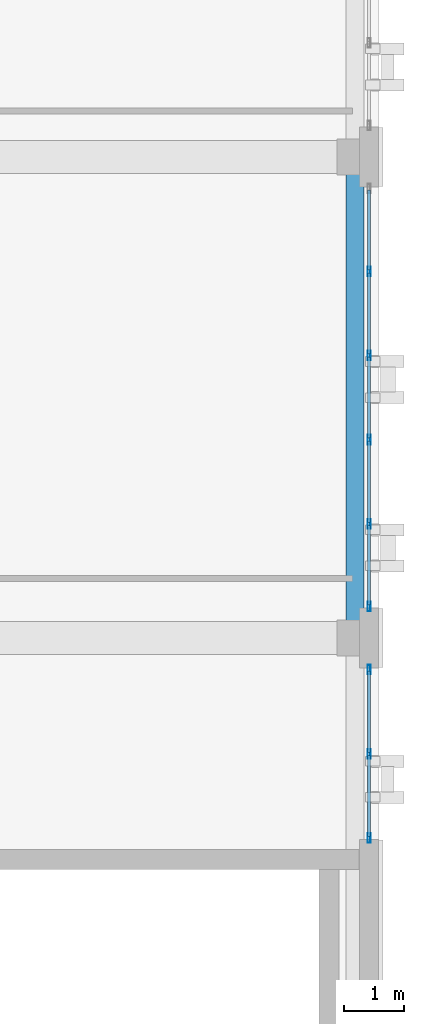
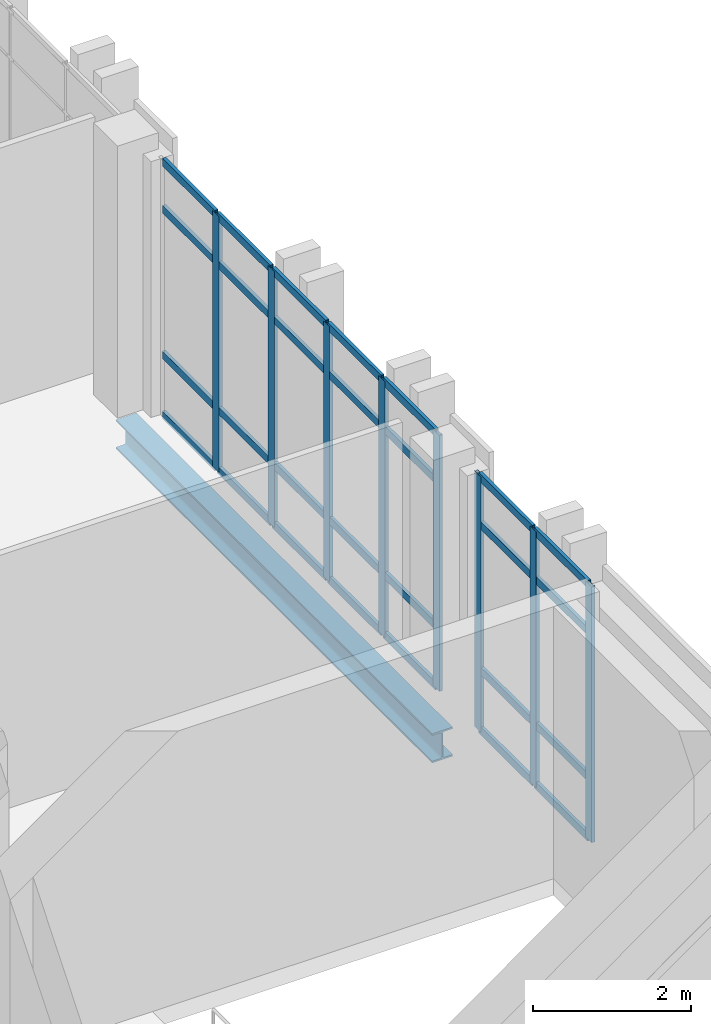
# One storey, part 7 of 19: 36 members, 1 beam, 2 elements without a shape of their own.
"""IFC4 building model written with IfcOpenShell, lengths in metres."""

import ifcopenshell
import ifcopenshell.guid

model = None  # the IFC model being written
_history = None  # IfcOwnerHistory: only IFC2X3 demands one
_inside = {}  # id of a spatial element -> (the spatial element, [elements in it])
_under = {}  # id of a project, library or spatial element -> (it, [spatial elements below it])
_declared = {}  # id of a project -> (the project, [libraries it declares])
_typed = {}  # id of a type object -> (the type object, [elements of that type])
_made_of = {}  # id of a material, layer set ... -> (it, [elements and type objects made of it])


def new_model(schema):
    """Start an empty IFC model of exactly this schema.

    Asked for "IFC4X3", IfcOpenShell would pick the latest addendum, in which some entities
    have other attributes; the version numbers below select the first issue.
    IFC2X3 requires an IfcOwnerHistory on every rooted entity: one is made here for all.
    """
    global model, _history
    if schema == "IFC4X3":
        model = ifcopenshell.file(schema_version=(4, 3, 0, 0))
    else:
        model = ifcopenshell.file(schema=schema)
    _inside.clear()
    _under.clear()
    _declared.clear()
    _typed.clear()
    _made_of.clear()
    _history = None
    if model.schema == "IFC2X3":
        org = make("IfcOrganization", Name="unknown")
        user = make(
            "IfcPersonAndOrganization",
            ThePerson=make("IfcPerson", FamilyName="unknown"),
            TheOrganization=org,
        )
        app = make(
            "IfcApplication",
            ApplicationDeveloper=org,
            Version="unknown",
            ApplicationFullName="unknown",
            ApplicationIdentifier="unknown",
        )
        _history = make(
            "IfcOwnerHistory",
            OwningUser=user,
            OwningApplication=app,
            ChangeAction="ADDED",
            CreationDate=0,
        )
    return model


def make(cls, **values):
    """One entity of the class cls with the attributes given. An attribute that is None is left unset."""
    return model.create_entity(
        cls, **{name: value for name, value in values.items() if value is not None}
    )


def rooted(cls, **values):
    """An entity with a GlobalId (a new one), such as an element, a storey or a relation."""
    return make(cls, GlobalId=ifcopenshell.guid.new(), OwnerHistory=_history, **values)


def si_unit(unit_type, name, prefix=None):
    """IfcSIUnit, for example si_unit("LENGTHUNIT", "METRE", prefix="MILLI")."""
    return make("IfcSIUnit", UnitType=unit_type, Prefix=prefix, Name=name)


def assignment(units):
    """IfcUnitAssignment: the units of a project."""
    return None if units is None else make("IfcUnitAssignment", Units=units)


def point(xyz):
    """IfcCartesianPoint."""
    return None if xyz is None else make("IfcCartesianPoint", Coordinates=xyz)


def direction(xyz):
    """IfcDirection."""
    return None if xyz is None else make("IfcDirection", DirectionRatios=xyz)


def frame(location, z_axis=None, x_axis=None):
    """IfcAxis2Placement3D, a coordinate frame: its origin and axes. An axis left out is left unset."""
    return make(
        "IfcAxis2Placement3D",
        Location=point(location),
        Axis=direction(z_axis),
        RefDirection=direction(x_axis),
    )


def frame_2d(location, x_axis=None):
    """IfcAxis2Placement2D, a coordinate frame in the plane: its origin and x axis."""
    return make(
        "IfcAxis2Placement2D", Location=point(location), RefDirection=direction(x_axis)
    )


def origin():
    """The frame at (0, 0, 0) with its axes left unset."""
    return frame((0.0, 0.0, 0.0))


def origin_2d():
    """The frame at (0, 0) in the plane with its x axis left unset."""
    return frame_2d((0.0, 0.0))


def place(relative_to, where):
    """IfcLocalPlacement: puts the frame where relative to a parent placement (None: the world)."""
    return make(
        "IfcLocalPlacement", PlacementRelTo=relative_to, RelativePlacement=where
    )


def context(
    kind, dimensions, precision=None, world=None, true_north=None, identifier=None
):
    """IfcGeometricRepresentationContext, for example the 3D "Model" context."""
    return make(
        "IfcGeometricRepresentationContext",
        ContextIdentifier=identifier,
        ContextType=kind,
        CoordinateSpaceDimension=dimensions,
        Precision=precision,
        WorldCoordinateSystem=world,
        TrueNorth=true_north,
    )


def subcontext(parent, identifier, kind, view, scale=None):
    """IfcGeometricRepresentationSubContext, for example "Body" below "Model"."""
    return make(
        "IfcGeometricRepresentationSubContext",
        ContextIdentifier=identifier,
        ContextType=kind,
        ParentContext=parent,
        TargetScale=scale,
        TargetView=view,
    )


def project(units=None, contexts=None):
    """IfcProject with its units and contexts."""
    return rooted(
        "IfcProject",
        Name="project",
        RepresentationContexts=contexts,
        UnitsInContext=assignment(units),
    )


def spatial(cls, under=None, at=None, **own):
    """A site, building, storey or space (cls), placed at a placement, below another one or the project."""
    s = rooted(cls, ObjectPlacement=at, **own)
    if under is not None:
        _under.setdefault(under.id(), (under, []))[1].append(s)
    return s


def profile(cls, at=None, kind="AREA", **sizes):
    """A parametric profile (cls). Its sizes go by their IFC names, for example OverallWidth=200.0."""
    return make(cls, ProfileType=kind, Position=at, **sizes)


def hollow_rectangle(**sizes):
    """IfcRectangleHollowProfileDef."""
    return profile("IfcRectangleHollowProfileDef", **sizes)


def i_section(**sizes):
    """IfcIShapeProfileDef."""
    return profile("IfcIShapeProfileDef", **sizes)


def extrude(swept, where, along, depth):
    """IfcExtrudedAreaSolid: the profile swept, set in the frame where, extruded along a direction by depth."""
    return make(
        "IfcExtrudedAreaSolid",
        SweptArea=swept,
        Position=where,
        ExtrudedDirection=direction(along),
        Depth=depth,
    )


def shape(context_of_items, identifier, shape_type, items):
    """IfcShapeRepresentation: the items that make up one representation, for example the "Body"."""
    return make(
        "IfcShapeRepresentation",
        ContextOfItems=context_of_items,
        RepresentationIdentifier=identifier,
        RepresentationType=shape_type,
        Items=items,
    )


def material(Name=None, Category=None):
    """IfcMaterial."""
    return make("IfcMaterial", Name=Name, Category=Category)


def layer(
    of_material, thickness, ventilated=None, Name=None, Category=None, Priority=None
):
    """IfcMaterialLayer: one layer of a wall or slab, of a material (None: an air gap)."""
    return make(
        "IfcMaterialLayer",
        Material=of_material,
        LayerThickness=thickness,
        IsVentilated=ventilated,
        Name=Name,
        Category=Category,
        Priority=Priority,
    )


def layer_set(layers, Name=None):
    """IfcMaterialLayerSet."""
    return make("IfcMaterialLayerSet", MaterialLayers=layers, LayerSetName=Name)


def material_profile(
    of_material, cross_section, Name=None, Category=None, Priority=None
):
    """IfcMaterialProfile: a cross section and its material."""
    return make(
        "IfcMaterialProfile",
        Name=Name,
        Material=of_material,
        Profile=cross_section,
        Priority=Priority,
        Category=Category,
    )


def profile_set(profiles, Name=None, composite=None):
    """IfcMaterialProfileSet."""
    return make(
        "IfcMaterialProfileSet",
        Name=Name,
        MaterialProfiles=profiles,
        CompositeProfile=composite,
    )


def made_of(thing, what):
    """Note that an element or type object is made of a material, layer set ...; save() writes the relation."""
    if what is not None:
        _made_of.setdefault(what.id(), (what, []))[1].append(thing)
    return thing


def type_object(cls, material=None, **own):
    """A type object (cls), such as IfcWallType, which elements share."""
    return made_of(rooted(cls, **own), material)


def element(
    cls,
    number,
    at=None,
    inside=None,
    cuts=None,
    type_object=None,
    material=None,
    context=None,
    identifier="Body",
    shape_type=None,
    held_by="IfcProductDefinitionShape",
    body=None,
    shapes=None,
    **own,
):
    """One element of the class cls, such as IfcWall. Its Tag is "e" and its number.

    at: its placement. inside: the storey or other place that contains it. cuts: it is an
    opening in that element (IfcRelVoidsElement). A single representation is given by context,
    identifier, shape_type and body (its items); several are given by shapes. held_by: the class
    of the entity that holds the representations. save() writes the other relations.
    """
    e = rooted(cls, Tag="e%d" % number, ObjectPlacement=at, **own)
    if body is not None:
        shapes = [shape(context, identifier, shape_type, body)]
    if shapes is not None:
        e.Representation = make(held_by, Representations=shapes)
    if inside is not None:
        _inside.setdefault(inside.id(), (inside, []))[1].append(e)
    if cuts is not None:
        rooted(
            "IfcRelVoidsElement", RelatingBuildingElement=cuts, RelatedOpeningElement=e
        )
    if type_object is not None:
        _typed.setdefault(type_object.id(), (type_object, []))[1].append(e)
    return made_of(e, material)


def aggregate(whole, parts):
    """IfcRelAggregates: a whole, such as a stair, and the parts it consists of."""
    return rooted("IfcRelAggregates", RelatingObject=whole, RelatedObjects=parts)


def save(model, path):
    """Write the relations noted so far, then the file.

    IfcRelAggregates (storeys below a building ...), IfcRelContainedInSpatialStructure (elements
    in a storey), IfcRelDefinesByType, IfcRelAssociatesMaterial and IfcRelDeclares: one each for
    every whole, place, type object, material and project.
    """
    for whole, parts in _under.values():
        aggregate(whole, parts)
    for where, things in _inside.values():
        rooted(
            "IfcRelContainedInSpatialStructure",
            RelatedElements=things,
            RelatingStructure=where,
        )
    for kind, things in _typed.values():
        rooted("IfcRelDefinesByType", RelatedObjects=things, RelatingType=kind)
    for what, things in _made_of.values():
        rooted("IfcRelAssociatesMaterial", RelatedObjects=things, RelatingMaterial=what)
    for by, libraries in _declared.values():
        rooted("IfcRelDeclares", RelatingContext=by, RelatedDefinitions=libraries)
    model.write(path)


model = new_model("IFC4")

# Units and contexts
model_context = context("Model", 3, precision=1e-05, world=origin(), true_north=direction((0.0, 1.0)))
body_context = subcontext(model_context, "Body", "Model", "MODEL_VIEW")
ifc_project = project(units=[si_unit("LENGTHUNIT", "METRE"), si_unit("AREAUNIT", "SQUARE_METRE"), si_unit("VOLUMEUNIT", "CUBIC_METRE"), si_unit("PLANEANGLEUNIT", "RADIAN"), si_unit("MASSUNIT", "GRAM", prefix="KILO")], contexts=[model_context])

# Site, building, storey
site_placement = place(None, origin())
site = spatial("IfcSite", under=ifc_project, at=site_placement, CompositionType="ELEMENT")
building_placement = place(site_placement, origin())
building = spatial("IfcBuilding", under=site, at=building_placement, Name="Qalavern Law Courts", CompositionType="ELEMENT")
storey_placement = place(building_placement, frame((0.0, 0.0, 39.60009765625)))
storey = spatial("IfcBuildingStorey", under=building, at=storey_placement, Name="L09", CompositionType="ELEMENT", Elevation=39.60009765625)

# Curtain wall, members
ifc_material_1 = material(Name="Anodised aluminium and insulated glazing", Category="aluminium")
ifc_layer = layer(ifc_material_1, 0.159912109375)
ifc_layer_set = layer_set([ifc_layer], Name="Anodised aluminium and insulated glazing")
curtain_wall_type = type_object("IfcCurtainWallType", Name="ENV-CW-CHAMB", PredefinedType="USERDEFINED", material=ifc_layer_set)
curtain_wall_1_placement = place(storey_placement, origin())
curtain_wall_1 = element("IfcCurtainWall", 1, at=curtain_wall_1_placement, inside=storey, type_object=curtain_wall_type, Name="V4 unitised curtain wall L09 east 1", ObjectType="UNITISED CURTAIN WALL", PredefinedType="USERDEFINED")
ifc_material_2 = material(Name="Anodised aluminium", Category="aluminium")
ifc_material_profile_1 = material_profile(ifc_material_2, hollow_rectangle(XDim=0.048095703125, YDim=0.159912109375, WallThickness=0.00390625, at=origin_2d()), Name="ALU MULLION 48x160")
ifc_profile_set_1 = profile_set([ifc_material_profile_1], Name="Anodised aluminium")
member_type_1 = type_object("IfcMemberType", Name="ENV-CWM-48x160", PredefinedType="MULLION", material=ifc_profile_set_1)
member_1_placement = place(storey_placement, frame((106.637451171875, 46.073974609375, 0.0), z_axis=(0.0, 0.0, 1.0), x_axis=(-1.0, 0.0, 0.0)))
member_1 = element("IfcMember", 2, at=member_1_placement, type_object=member_type_1, Name="CW-04 mullion 1", PredefinedType="MULLION", context=body_context, shape_type="SweptSolid", body=[
    extrude(hollow_rectangle(XDim=0.048095703125, YDim=0.159912109375, WallThickness=0.00390625, at=origin_2d()), origin(), (0.0, 0.0, 1.0), 3.949951171875),
])
member_2_placement = place(storey_placement, frame((106.637451171875, 47.47509765625, 0.0), z_axis=(0.0, 0.0, 1.0), x_axis=(-1.0, 0.0, 0.0)))
member_2 = element("IfcMember", 3, at=member_2_placement, type_object=member_type_1, Name="CW-04 mullion 2", PredefinedType="MULLION", context=body_context, shape_type="SweptSolid", body=[
    extrude(hollow_rectangle(XDim=0.048095703125, YDim=0.159912109375, WallThickness=0.00390625, at=origin_2d()), origin(), (0.0, 0.0, 1.0), 3.949951171875),
])
member_3_placement = place(storey_placement, frame((106.637451171875, 48.8759765625, 0.0), z_axis=(0.0, 0.0, 1.0), x_axis=(-1.0, 0.0, 0.0)))
member_3 = element("IfcMember", 4, at=member_3_placement, type_object=member_type_1, Name="CW-04 mullion 3", PredefinedType="MULLION", context=body_context, shape_type="SweptSolid", body=[
    extrude(hollow_rectangle(XDim=0.048095703125, YDim=0.159912109375, WallThickness=0.00390625, at=origin_2d()), origin(), (0.0, 0.0, 1.0), 3.949951171875),
])

curtain_wall_2_placement = place(storey_placement, origin())
curtain_wall_2 = element("IfcCurtainWall", 5, at=curtain_wall_2_placement, inside=storey, type_object=curtain_wall_type, Name="V4 unitised curtain wall L09 east 2", ObjectType="UNITISED CURTAIN WALL", PredefinedType="USERDEFINED")
member_4_placement = place(storey_placement, frame((106.637451171875, 49.924072265625, 0.0), z_axis=(0.0, 0.0, 1.0), x_axis=(-1.0, 0.0, 0.0)))
member_4 = element("IfcMember", 6, at=member_4_placement, type_object=member_type_1, Name="CW-04 mullion 1", PredefinedType="MULLION", context=body_context, shape_type="SweptSolid", body=[
    extrude(hollow_rectangle(XDim=0.048095703125, YDim=0.159912109375, WallThickness=0.00390625, at=origin_2d()), origin(), (0.0, 0.0, 1.0), 3.949951171875),
])
member_5_placement = place(storey_placement, frame((106.637451171875, 51.300048828125, 0.0), z_axis=(0.0, 0.0, 1.0), x_axis=(-1.0, 0.0, 0.0)))
member_5 = element("IfcMember", 7, at=member_5_placement, type_object=member_type_1, Name="CW-04 mullion 2", PredefinedType="MULLION", context=body_context, shape_type="SweptSolid", body=[
    extrude(hollow_rectangle(XDim=0.048095703125, YDim=0.159912109375, WallThickness=0.00390625, at=origin_2d()), origin(), (0.0, 0.0, 1.0), 3.949951171875),
])
member_6_placement = place(storey_placement, frame((106.637451171875, 52.699951171875, 0.0), z_axis=(0.0, 0.0, 1.0), x_axis=(-1.0, 0.0, 0.0)))
member_6 = element("IfcMember", 8, at=member_6_placement, type_object=member_type_1, Name="CW-04 mullion 3", PredefinedType="MULLION", context=body_context, shape_type="SweptSolid", body=[
    extrude(hollow_rectangle(XDim=0.048095703125, YDim=0.159912109375, WallThickness=0.00390625, at=origin_2d()), origin(), (0.0, 0.0, 1.0), 3.949951171875),
])
member_7_placement = place(storey_placement, frame((106.637451171875, 54.10009765625, 0.0), z_axis=(0.0, 0.0, 1.0), x_axis=(-1.0, 0.0, 0.0)))
member_7 = element("IfcMember", 9, at=member_7_placement, type_object=member_type_1, Name="CW-04 mullion 4", PredefinedType="MULLION", context=body_context, shape_type="SweptSolid", body=[
    extrude(hollow_rectangle(XDim=0.048095703125, YDim=0.159912109375, WallThickness=0.00390625, at=origin_2d()), origin(), (0.0, 0.0, 1.0), 3.949951171875),
])
member_8_placement = place(storey_placement, frame((106.637451171875, 55.5, 0.0), z_axis=(0.0, 0.0, 1.0), x_axis=(-1.0, 0.0, 0.0)))
member_8 = element("IfcMember", 10, at=member_8_placement, type_object=member_type_1, Name="CW-04 mullion 5", PredefinedType="MULLION", context=body_context, shape_type="SweptSolid", body=[
    extrude(hollow_rectangle(XDim=0.048095703125, YDim=0.159912109375, WallThickness=0.00390625, at=origin_2d()), origin(), (0.0, 0.0, 1.0), 3.949951171875),
])

# Member
ifc_material_profile_2 = material_profile(ifc_material_2, hollow_rectangle(XDim=0.048095703125, YDim=0.1201171875, WallThickness=0.00390625, at=origin_2d()), Name="ALU TRANSOM 48x120")
ifc_profile_set_2 = profile_set([ifc_material_profile_2], Name="Anodised aluminium")
member_type_2 = type_object("IfcMemberType", Name="ENV-CWT-48x120", PredefinedType="USERDEFINED", material=ifc_profile_set_2)
member_9_placement = place(storey_placement, frame((106.637451171875, 46.097900390625, 0.02392578125), z_axis=(0.0, 1.0, 0.0), x_axis=(-1.0, 0.0, 0.0)))
member_9 = element("IfcMember", 11, at=member_9_placement, type_object=member_type_2, Name="CW-04 transom 1.1", ObjectType="TRANSOM", PredefinedType="USERDEFINED", context=body_context, shape_type="SweptSolid", body=[
    extrude(hollow_rectangle(XDim=0.048095703125, YDim=0.1201171875, WallThickness=0.00390625, at=origin_2d()), origin(), (0.0, 0.0, 1.0), 1.35302734375),
])

member_10_placement = place(storey_placement, frame((106.637451171875, 46.097900390625, 0.949951171875), z_axis=(0.0, 1.0, 0.0), x_axis=(-1.0, 0.0, 0.0)))
member_10 = element("IfcMember", 12, at=member_10_placement, type_object=member_type_2, Name="CW-04 transom 1.2", ObjectType="TRANSOM", PredefinedType="USERDEFINED", context=body_context, shape_type="SweptSolid", body=[
    extrude(hollow_rectangle(XDim=0.048095703125, YDim=0.1201171875, WallThickness=0.00390625, at=origin_2d()), origin(), (0.0, 0.0, 1.0), 1.35302734375),
])

member_11_placement = place(storey_placement, frame((106.637451171875, 46.097900390625, 3.199951171875), z_axis=(0.0, 1.0, 0.0), x_axis=(-1.0, 0.0, 0.0)))
member_11 = element("IfcMember", 13, at=member_11_placement, type_object=member_type_2, Name="CW-04 transom 1.3", ObjectType="TRANSOM", PredefinedType="USERDEFINED", context=body_context, shape_type="SweptSolid", body=[
    extrude(hollow_rectangle(XDim=0.048095703125, YDim=0.1201171875, WallThickness=0.00390625, at=origin_2d()), origin(), (0.0, 0.0, 1.0), 1.35302734375),
])

member_12_placement = place(storey_placement, frame((106.637451171875, 46.097900390625, 3.92578125), z_axis=(0.0, 1.0, 0.0), x_axis=(-1.0, 0.0, 0.0)))
member_12 = element("IfcMember", 14, at=member_12_placement, type_object=member_type_2, Name="CW-04 transom 1.4", ObjectType="TRANSOM", PredefinedType="USERDEFINED", context=body_context, shape_type="SweptSolid", body=[
    extrude(hollow_rectangle(XDim=0.048095703125, YDim=0.1201171875, WallThickness=0.00390625, at=origin_2d()), origin(), (0.0, 0.0, 1.0), 1.35302734375),
])

member_13_placement = place(storey_placement, frame((106.637451171875, 47.4990234375, 0.02392578125), z_axis=(0.0, 1.0, 0.0), x_axis=(-1.0, 0.0, 0.0)))
member_13 = element("IfcMember", 15, at=member_13_placement, type_object=member_type_2, Name="CW-04 transom 2.1", ObjectType="TRANSOM", PredefinedType="USERDEFINED", context=body_context, shape_type="SweptSolid", body=[
    extrude(hollow_rectangle(XDim=0.048095703125, YDim=0.1201171875, WallThickness=0.00390625, at=origin_2d()), origin(), (0.0, 0.0, 1.0), 1.35302734375),
])

member_14_placement = place(storey_placement, frame((106.637451171875, 47.4990234375, 0.949951171875), z_axis=(0.0, 1.0, 0.0), x_axis=(-1.0, 0.0, 0.0)))
member_14 = element("IfcMember", 16, at=member_14_placement, type_object=member_type_2, Name="CW-04 transom 2.2", ObjectType="TRANSOM", PredefinedType="USERDEFINED", context=body_context, shape_type="SweptSolid", body=[
    extrude(hollow_rectangle(XDim=0.048095703125, YDim=0.1201171875, WallThickness=0.00390625, at=origin_2d()), origin(), (0.0, 0.0, 1.0), 1.35302734375),
])

member_15_placement = place(storey_placement, frame((106.637451171875, 47.4990234375, 3.199951171875), z_axis=(0.0, 1.0, 0.0), x_axis=(-1.0, 0.0, 0.0)))
member_15 = element("IfcMember", 17, at=member_15_placement, type_object=member_type_2, Name="CW-04 transom 2.3", ObjectType="TRANSOM", PredefinedType="USERDEFINED", context=body_context, shape_type="SweptSolid", body=[
    extrude(hollow_rectangle(XDim=0.048095703125, YDim=0.1201171875, WallThickness=0.00390625, at=origin_2d()), origin(), (0.0, 0.0, 1.0), 1.35302734375),
])

member_16_placement = place(storey_placement, frame((106.637451171875, 47.4990234375, 3.92578125), z_axis=(0.0, 1.0, 0.0), x_axis=(-1.0, 0.0, 0.0)))
member_16 = element("IfcMember", 18, at=member_16_placement, type_object=member_type_2, Name="CW-04 transom 2.4", ObjectType="TRANSOM", PredefinedType="USERDEFINED", context=body_context, shape_type="SweptSolid", body=[
    extrude(hollow_rectangle(XDim=0.048095703125, YDim=0.1201171875, WallThickness=0.00390625, at=origin_2d()), origin(), (0.0, 0.0, 1.0), 1.35302734375),
])

aggregate(curtain_wall_1, [member_1, member_2, member_3, member_9, member_10, member_11, member_12, member_13, member_14, member_15, member_16])

member_17_placement = place(storey_placement, frame((106.637451171875, 49.947998046875, 0.02392578125), z_axis=(0.0, 1.0, 0.0), x_axis=(-1.0, 0.0, 0.0)))
member_17 = element("IfcMember", 19, at=member_17_placement, type_object=member_type_2, Name="CW-04 transom 1.1", ObjectType="TRANSOM", PredefinedType="USERDEFINED", context=body_context, shape_type="SweptSolid", body=[
    extrude(hollow_rectangle(XDim=0.048095703125, YDim=0.1201171875, WallThickness=0.00390625, at=origin_2d()), origin(), (0.0, 0.0, 1.0), 1.327880859375),
])

member_18_placement = place(storey_placement, frame((106.637451171875, 49.947998046875, 0.949951171875), z_axis=(0.0, 1.0, 0.0), x_axis=(-1.0, 0.0, 0.0)))
member_18 = element("IfcMember", 20, at=member_18_placement, type_object=member_type_2, Name="CW-04 transom 1.2", ObjectType="TRANSOM", PredefinedType="USERDEFINED", context=body_context, shape_type="SweptSolid", body=[
    extrude(hollow_rectangle(XDim=0.048095703125, YDim=0.1201171875, WallThickness=0.00390625, at=origin_2d()), origin(), (0.0, 0.0, 1.0), 1.327880859375),
])

member_19_placement = place(storey_placement, frame((106.637451171875, 49.947998046875, 3.199951171875), z_axis=(0.0, 1.0, 0.0), x_axis=(-1.0, 0.0, 0.0)))
member_19 = element("IfcMember", 21, at=member_19_placement, type_object=member_type_2, Name="CW-04 transom 1.3", ObjectType="TRANSOM", PredefinedType="USERDEFINED", context=body_context, shape_type="SweptSolid", body=[
    extrude(hollow_rectangle(XDim=0.048095703125, YDim=0.1201171875, WallThickness=0.00390625, at=origin_2d()), origin(), (0.0, 0.0, 1.0), 1.327880859375),
])

member_20_placement = place(storey_placement, frame((106.637451171875, 49.947998046875, 3.92578125), z_axis=(0.0, 1.0, 0.0), x_axis=(-1.0, 0.0, 0.0)))
member_20 = element("IfcMember", 22, at=member_20_placement, type_object=member_type_2, Name="CW-04 transom 1.4", ObjectType="TRANSOM", PredefinedType="USERDEFINED", context=body_context, shape_type="SweptSolid", body=[
    extrude(hollow_rectangle(XDim=0.048095703125, YDim=0.1201171875, WallThickness=0.00390625, at=origin_2d()), origin(), (0.0, 0.0, 1.0), 1.327880859375),
])

member_21_placement = place(storey_placement, frame((106.637451171875, 51.323974609375, 0.02392578125), z_axis=(0.0, 1.0, 0.0), x_axis=(-1.0, 0.0, 0.0)))
member_21 = element("IfcMember", 23, at=member_21_placement, type_object=member_type_2, Name="CW-04 transom 2.1", ObjectType="TRANSOM", PredefinedType="USERDEFINED", context=body_context, shape_type="SweptSolid", body=[
    extrude(hollow_rectangle(XDim=0.048095703125, YDim=0.1201171875, WallThickness=0.00390625, at=origin_2d()), origin(), (0.0, 0.0, 1.0), 1.35205078125),
])

member_22_placement = place(storey_placement, frame((106.637451171875, 51.323974609375, 0.949951171875), z_axis=(0.0, 1.0, 0.0), x_axis=(-1.0, 0.0, 0.0)))
member_22 = element("IfcMember", 24, at=member_22_placement, type_object=member_type_2, Name="CW-04 transom 2.2", ObjectType="TRANSOM", PredefinedType="USERDEFINED", context=body_context, shape_type="SweptSolid", body=[
    extrude(hollow_rectangle(XDim=0.048095703125, YDim=0.1201171875, WallThickness=0.00390625, at=origin_2d()), origin(), (0.0, 0.0, 1.0), 1.35205078125),
])

member_23_placement = place(storey_placement, frame((106.637451171875, 51.323974609375, 3.199951171875), z_axis=(0.0, 1.0, 0.0), x_axis=(-1.0, 0.0, 0.0)))
member_23 = element("IfcMember", 25, at=member_23_placement, type_object=member_type_2, Name="CW-04 transom 2.3", ObjectType="TRANSOM", PredefinedType="USERDEFINED", context=body_context, shape_type="SweptSolid", body=[
    extrude(hollow_rectangle(XDim=0.048095703125, YDim=0.1201171875, WallThickness=0.00390625, at=origin_2d()), origin(), (0.0, 0.0, 1.0), 1.35205078125),
])

member_24_placement = place(storey_placement, frame((106.637451171875, 51.323974609375, 3.92578125), z_axis=(0.0, 1.0, 0.0), x_axis=(-1.0, 0.0, 0.0)))
member_24 = element("IfcMember", 26, at=member_24_placement, type_object=member_type_2, Name="CW-04 transom 2.4", ObjectType="TRANSOM", PredefinedType="USERDEFINED", context=body_context, shape_type="SweptSolid", body=[
    extrude(hollow_rectangle(XDim=0.048095703125, YDim=0.1201171875, WallThickness=0.00390625, at=origin_2d()), origin(), (0.0, 0.0, 1.0), 1.35205078125),
])

member_25_placement = place(storey_placement, frame((106.637451171875, 52.72412109375, 0.02392578125), z_axis=(0.0, 1.0, 0.0), x_axis=(-1.0, 0.0, 0.0)))
member_25 = element("IfcMember", 27, at=member_25_placement, type_object=member_type_2, Name="CW-04 transom 3.1", ObjectType="TRANSOM", PredefinedType="USERDEFINED", context=body_context, shape_type="SweptSolid", body=[
    extrude(hollow_rectangle(XDim=0.048095703125, YDim=0.1201171875, WallThickness=0.00390625, at=origin_2d()), origin(), (0.0, 0.0, 1.0), 1.351806640625),
])

member_26_placement = place(storey_placement, frame((106.637451171875, 52.72412109375, 0.949951171875), z_axis=(0.0, 1.0, 0.0), x_axis=(-1.0, 0.0, 0.0)))
member_26 = element("IfcMember", 28, at=member_26_placement, type_object=member_type_2, Name="CW-04 transom 3.2", ObjectType="TRANSOM", PredefinedType="USERDEFINED", context=body_context, shape_type="SweptSolid", body=[
    extrude(hollow_rectangle(XDim=0.048095703125, YDim=0.1201171875, WallThickness=0.00390625, at=origin_2d()), origin(), (0.0, 0.0, 1.0), 1.351806640625),
])

member_27_placement = place(storey_placement, frame((106.637451171875, 52.72412109375, 3.199951171875), z_axis=(0.0, 1.0, 0.0), x_axis=(-1.0, 0.0, 0.0)))
member_27 = element("IfcMember", 29, at=member_27_placement, type_object=member_type_2, Name="CW-04 transom 3.3", ObjectType="TRANSOM", PredefinedType="USERDEFINED", context=body_context, shape_type="SweptSolid", body=[
    extrude(hollow_rectangle(XDim=0.048095703125, YDim=0.1201171875, WallThickness=0.00390625, at=origin_2d()), origin(), (0.0, 0.0, 1.0), 1.351806640625),
])

member_28_placement = place(storey_placement, frame((106.637451171875, 52.72412109375, 3.92578125), z_axis=(0.0, 1.0, 0.0), x_axis=(-1.0, 0.0, 0.0)))
member_28 = element("IfcMember", 30, at=member_28_placement, type_object=member_type_2, Name="CW-04 transom 3.4", ObjectType="TRANSOM", PredefinedType="USERDEFINED", context=body_context, shape_type="SweptSolid", body=[
    extrude(hollow_rectangle(XDim=0.048095703125, YDim=0.1201171875, WallThickness=0.00390625, at=origin_2d()), origin(), (0.0, 0.0, 1.0), 1.351806640625),
])

member_29_placement = place(storey_placement, frame((106.637451171875, 54.1240234375, 0.02392578125), z_axis=(0.0, 1.0, 0.0), x_axis=(-1.0, 0.0, 0.0)))
member_29 = element("IfcMember", 31, at=member_29_placement, type_object=member_type_2, Name="CW-04 transom 4.1", ObjectType="TRANSOM", PredefinedType="USERDEFINED", context=body_context, shape_type="SweptSolid", body=[
    extrude(hollow_rectangle(XDim=0.048095703125, YDim=0.1201171875, WallThickness=0.00390625, at=origin_2d()), origin(), (0.0, 0.0, 1.0), 1.35205078125),
])

member_30_placement = place(storey_placement, frame((106.637451171875, 54.1240234375, 0.949951171875), z_axis=(0.0, 1.0, 0.0), x_axis=(-1.0, 0.0, 0.0)))
member_30 = element("IfcMember", 32, at=member_30_placement, type_object=member_type_2, Name="CW-04 transom 4.2", ObjectType="TRANSOM", PredefinedType="USERDEFINED", context=body_context, shape_type="SweptSolid", body=[
    extrude(hollow_rectangle(XDim=0.048095703125, YDim=0.1201171875, WallThickness=0.00390625, at=origin_2d()), origin(), (0.0, 0.0, 1.0), 1.35205078125),
])

member_31_placement = place(storey_placement, frame((106.637451171875, 54.1240234375, 3.199951171875), z_axis=(0.0, 1.0, 0.0), x_axis=(-1.0, 0.0, 0.0)))
member_31 = element("IfcMember", 33, at=member_31_placement, type_object=member_type_2, Name="CW-04 transom 4.3", ObjectType="TRANSOM", PredefinedType="USERDEFINED", context=body_context, shape_type="SweptSolid", body=[
    extrude(hollow_rectangle(XDim=0.048095703125, YDim=0.1201171875, WallThickness=0.00390625, at=origin_2d()), origin(), (0.0, 0.0, 1.0), 1.35205078125),
])

member_32_placement = place(storey_placement, frame((106.637451171875, 54.1240234375, 3.92578125), z_axis=(0.0, 1.0, 0.0), x_axis=(-1.0, 0.0, 0.0)))
member_32 = element("IfcMember", 34, at=member_32_placement, type_object=member_type_2, Name="CW-04 transom 4.4", ObjectType="TRANSOM", PredefinedType="USERDEFINED", context=body_context, shape_type="SweptSolid", body=[
    extrude(hollow_rectangle(XDim=0.048095703125, YDim=0.1201171875, WallThickness=0.00390625, at=origin_2d()), origin(), (0.0, 0.0, 1.0), 1.35205078125),
])

member_33_placement = place(storey_placement, frame((106.637451171875, 55.52392578125, 0.02392578125), z_axis=(0.0, 1.0, 0.0), x_axis=(-1.0, 0.0, 0.0)))
member_33 = element("IfcMember", 35, at=member_33_placement, type_object=member_type_2, Name="CW-04 transom 5.1", ObjectType="TRANSOM", PredefinedType="USERDEFINED", context=body_context, shape_type="SweptSolid", body=[
    extrude(hollow_rectangle(XDim=0.048095703125, YDim=0.1201171875, WallThickness=0.00390625, at=origin_2d()), origin(), (0.0, 0.0, 1.0), 1.328125),
])

member_34_placement = place(storey_placement, frame((106.637451171875, 55.52392578125, 0.949951171875), z_axis=(0.0, 1.0, 0.0), x_axis=(-1.0, 0.0, 0.0)))
member_34 = element("IfcMember", 36, at=member_34_placement, type_object=member_type_2, Name="CW-04 transom 5.2", ObjectType="TRANSOM", PredefinedType="USERDEFINED", context=body_context, shape_type="SweptSolid", body=[
    extrude(hollow_rectangle(XDim=0.048095703125, YDim=0.1201171875, WallThickness=0.00390625, at=origin_2d()), origin(), (0.0, 0.0, 1.0), 1.328125),
])

member_35_placement = place(storey_placement, frame((106.637451171875, 55.52392578125, 3.199951171875), z_axis=(0.0, 1.0, 0.0), x_axis=(-1.0, 0.0, 0.0)))
member_35 = element("IfcMember", 37, at=member_35_placement, type_object=member_type_2, Name="CW-04 transom 5.3", ObjectType="TRANSOM", PredefinedType="USERDEFINED", context=body_context, shape_type="SweptSolid", body=[
    extrude(hollow_rectangle(XDim=0.048095703125, YDim=0.1201171875, WallThickness=0.00390625, at=origin_2d()), origin(), (0.0, 0.0, 1.0), 1.328125),
])

member_36_placement = place(storey_placement, frame((106.637451171875, 55.52392578125, 3.92578125), z_axis=(0.0, 1.0, 0.0), x_axis=(-1.0, 0.0, 0.0)))
member_36 = element("IfcMember", 38, at=member_36_placement, type_object=member_type_2, Name="CW-04 transom 5.4", ObjectType="TRANSOM", PredefinedType="USERDEFINED", context=body_context, shape_type="SweptSolid", body=[
    extrude(hollow_rectangle(XDim=0.048095703125, YDim=0.1201171875, WallThickness=0.00390625, at=origin_2d()), origin(), (0.0, 0.0, 1.0), 1.328125),
])

aggregate(curtain_wall_2, [member_4, member_5, member_6, member_7, member_8, member_17, member_18, member_19, member_20, member_21, member_22, member_23, member_24, member_25, member_26, member_27, member_28, member_29, member_30, member_31, member_32, member_33, member_34, member_35, member_36])

# Beam
ifc_material_3 = material(Name="Steel S355", Category="steel")
ifc_material_profile_3 = material_profile(ifc_material_3, i_section(OverallWidth=0.300048828125, OverallDepth=0.449951171875, WebThickness=0.013916015625, FlangeThickness=0.02587890625, FilletRadius=0.027099609375, at=origin_2d()), Name="HEB 450")
ifc_profile_set_3 = profile_set([ifc_material_profile_3], Name="Steel S355")
beam_type = type_object("IfcBeamType", Name="STR-SP-HEB450", PredefinedType="SPANDREL", material=ifc_profile_set_3)
beam_placement = place(storey_placement, frame((106.39990234375, 49.39990234375, -0.47998046875), z_axis=(0.0, 1.0, 0.0), x_axis=(-1.0, 0.0, 0.0)))
element("IfcBeam", 39, at=beam_placement, inside=storey, type_object=beam_type, Name="V4 Y-beam 3-2 L09", PredefinedType="SPANDREL", context=body_context, shape_type="SweptSolid", body=[
    extrude(i_section(OverallWidth=0.300048828125, OverallDepth=0.449951171875, WebThickness=0.013916015625, FlangeThickness=0.02587890625, FilletRadius=0.027099609375, at=origin_2d()), origin(), (0.0, 0.0, 1.0), 8.0),
])

save(model, "model.ifc")
